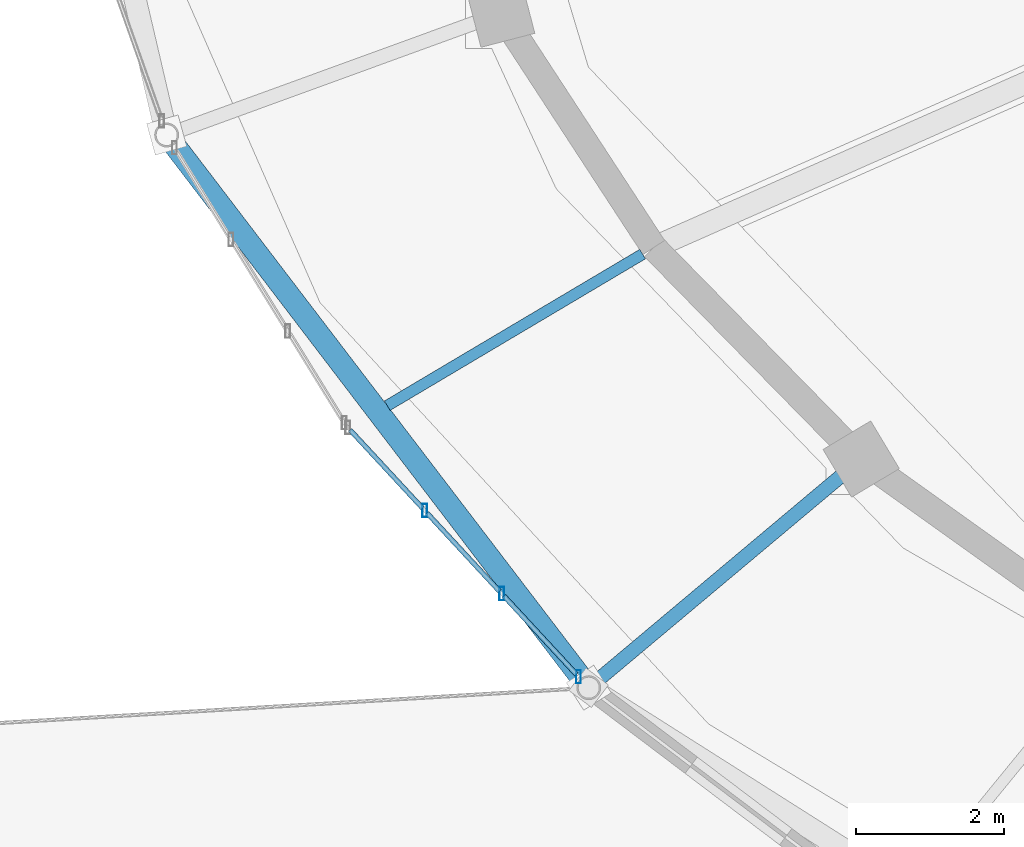
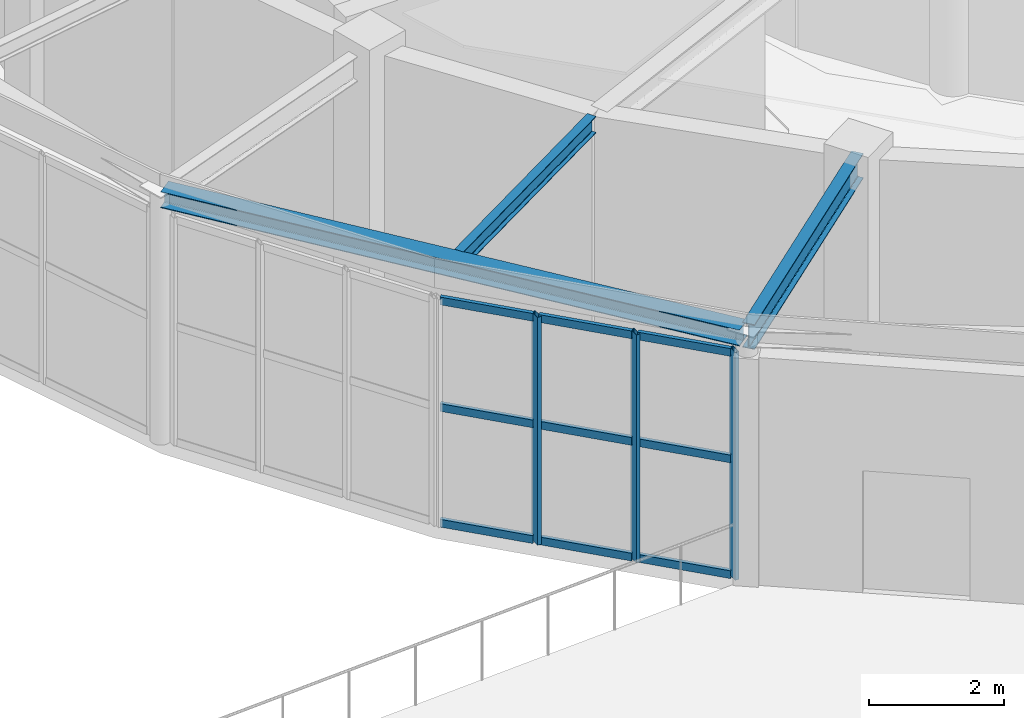
# One storey, part 30 of 108: 12 members, 3 beams, 1 element without a shape of its own.
"""IFC4 building model written with IfcOpenShell, lengths in metres."""

import ifcopenshell
import ifcopenshell.guid

model = None  # the IFC model being written
_history = None  # IfcOwnerHistory: only IFC2X3 demands one
_inside = {}  # id of a spatial element -> (the spatial element, [elements in it])
_under = {}  # id of a project, library or spatial element -> (it, [spatial elements below it])
_declared = {}  # id of a project -> (the project, [libraries it declares])
_typed = {}  # id of a type object -> (the type object, [elements of that type])
_made_of = {}  # id of a material, layer set ... -> (it, [elements and type objects made of it])


def new_model(schema):
    """Start an empty IFC model of exactly this schema.

    Asked for "IFC4X3", IfcOpenShell would pick the latest addendum, in which some entities
    have other attributes; the version numbers below select the first issue.
    IFC2X3 requires an IfcOwnerHistory on every rooted entity: one is made here for all.
    """
    global model, _history
    if schema == "IFC4X3":
        model = ifcopenshell.file(schema_version=(4, 3, 0, 0))
    else:
        model = ifcopenshell.file(schema=schema)
    _inside.clear()
    _under.clear()
    _declared.clear()
    _typed.clear()
    _made_of.clear()
    _history = None
    if model.schema == "IFC2X3":
        org = make("IfcOrganization", Name="unknown")
        user = make(
            "IfcPersonAndOrganization",
            ThePerson=make("IfcPerson", FamilyName="unknown"),
            TheOrganization=org,
        )
        app = make(
            "IfcApplication",
            ApplicationDeveloper=org,
            Version="unknown",
            ApplicationFullName="unknown",
            ApplicationIdentifier="unknown",
        )
        _history = make(
            "IfcOwnerHistory",
            OwningUser=user,
            OwningApplication=app,
            ChangeAction="ADDED",
            CreationDate=0,
        )
    return model


def make(cls, **values):
    """One entity of the class cls with the attributes given. An attribute that is None is left unset."""
    return model.create_entity(
        cls, **{name: value for name, value in values.items() if value is not None}
    )


def rooted(cls, **values):
    """An entity with a GlobalId (a new one), such as an element, a storey or a relation."""
    return make(cls, GlobalId=ifcopenshell.guid.new(), OwnerHistory=_history, **values)


def si_unit(unit_type, name, prefix=None):
    """IfcSIUnit, for example si_unit("LENGTHUNIT", "METRE", prefix="MILLI")."""
    return make("IfcSIUnit", UnitType=unit_type, Prefix=prefix, Name=name)


def assignment(units):
    """IfcUnitAssignment: the units of a project."""
    return None if units is None else make("IfcUnitAssignment", Units=units)


def point(xyz):
    """IfcCartesianPoint."""
    return None if xyz is None else make("IfcCartesianPoint", Coordinates=xyz)


def direction(xyz):
    """IfcDirection."""
    return None if xyz is None else make("IfcDirection", DirectionRatios=xyz)


def frame(location, z_axis=None, x_axis=None):
    """IfcAxis2Placement3D, a coordinate frame: its origin and axes. An axis left out is left unset."""
    return make(
        "IfcAxis2Placement3D",
        Location=point(location),
        Axis=direction(z_axis),
        RefDirection=direction(x_axis),
    )


def frame_2d(location, x_axis=None):
    """IfcAxis2Placement2D, a coordinate frame in the plane: its origin and x axis."""
    return make(
        "IfcAxis2Placement2D", Location=point(location), RefDirection=direction(x_axis)
    )


def origin():
    """The frame at (0, 0, 0) with its axes left unset."""
    return frame((0.0, 0.0, 0.0))


def origin_2d():
    """The frame at (0, 0) in the plane with its x axis left unset."""
    return frame_2d((0.0, 0.0))


def place(relative_to, where):
    """IfcLocalPlacement: puts the frame where relative to a parent placement (None: the world)."""
    return make(
        "IfcLocalPlacement", PlacementRelTo=relative_to, RelativePlacement=where
    )


def context(
    kind, dimensions, precision=None, world=None, true_north=None, identifier=None
):
    """IfcGeometricRepresentationContext, for example the 3D "Model" context."""
    return make(
        "IfcGeometricRepresentationContext",
        ContextIdentifier=identifier,
        ContextType=kind,
        CoordinateSpaceDimension=dimensions,
        Precision=precision,
        WorldCoordinateSystem=world,
        TrueNorth=true_north,
    )


def subcontext(parent, identifier, kind, view, scale=None):
    """IfcGeometricRepresentationSubContext, for example "Body" below "Model"."""
    return make(
        "IfcGeometricRepresentationSubContext",
        ContextIdentifier=identifier,
        ContextType=kind,
        ParentContext=parent,
        TargetScale=scale,
        TargetView=view,
    )


def project(units=None, contexts=None):
    """IfcProject with its units and contexts."""
    return rooted(
        "IfcProject",
        Name="project",
        RepresentationContexts=contexts,
        UnitsInContext=assignment(units),
    )


def spatial(cls, under=None, at=None, **own):
    """A site, building, storey or space (cls), placed at a placement, below another one or the project."""
    s = rooted(cls, ObjectPlacement=at, **own)
    if under is not None:
        _under.setdefault(under.id(), (under, []))[1].append(s)
    return s


def profile(cls, at=None, kind="AREA", **sizes):
    """A parametric profile (cls). Its sizes go by their IFC names, for example OverallWidth=200.0."""
    return make(cls, ProfileType=kind, Position=at, **sizes)


def hollow_rectangle(**sizes):
    """IfcRectangleHollowProfileDef."""
    return profile("IfcRectangleHollowProfileDef", **sizes)


def i_section(**sizes):
    """IfcIShapeProfileDef."""
    return profile("IfcIShapeProfileDef", **sizes)


def extrude(swept, where, along, depth):
    """IfcExtrudedAreaSolid: the profile swept, set in the frame where, extruded along a direction by depth."""
    return make(
        "IfcExtrudedAreaSolid",
        SweptArea=swept,
        Position=where,
        ExtrudedDirection=direction(along),
        Depth=depth,
    )


def shape(context_of_items, identifier, shape_type, items):
    """IfcShapeRepresentation: the items that make up one representation, for example the "Body"."""
    return make(
        "IfcShapeRepresentation",
        ContextOfItems=context_of_items,
        RepresentationIdentifier=identifier,
        RepresentationType=shape_type,
        Items=items,
    )


def material(Name=None, Category=None):
    """IfcMaterial."""
    return make("IfcMaterial", Name=Name, Category=Category)


def material_profile(
    of_material, cross_section, Name=None, Category=None, Priority=None
):
    """IfcMaterialProfile: a cross section and its material."""
    return make(
        "IfcMaterialProfile",
        Name=Name,
        Material=of_material,
        Profile=cross_section,
        Priority=Priority,
        Category=Category,
    )


def profile_set(profiles, Name=None, composite=None):
    """IfcMaterialProfileSet."""
    return make(
        "IfcMaterialProfileSet",
        Name=Name,
        MaterialProfiles=profiles,
        CompositeProfile=composite,
    )


def made_of(thing, what):
    """Note that an element or type object is made of a material, layer set ...; save() writes the relation."""
    if what is not None:
        _made_of.setdefault(what.id(), (what, []))[1].append(thing)
    return thing


def type_object(cls, material=None, **own):
    """A type object (cls), such as IfcWallType, which elements share."""
    return made_of(rooted(cls, **own), material)


def element(
    cls,
    number,
    at=None,
    inside=None,
    cuts=None,
    type_object=None,
    material=None,
    context=None,
    identifier="Body",
    shape_type=None,
    held_by="IfcProductDefinitionShape",
    body=None,
    shapes=None,
    **own,
):
    """One element of the class cls, such as IfcWall. Its Tag is "e" and its number.

    at: its placement. inside: the storey or other place that contains it. cuts: it is an
    opening in that element (IfcRelVoidsElement). A single representation is given by context,
    identifier, shape_type and body (its items); several are given by shapes. held_by: the class
    of the entity that holds the representations. save() writes the other relations.
    """
    e = rooted(cls, Tag="e%d" % number, ObjectPlacement=at, **own)
    if body is not None:
        shapes = [shape(context, identifier, shape_type, body)]
    if shapes is not None:
        e.Representation = make(held_by, Representations=shapes)
    if inside is not None:
        _inside.setdefault(inside.id(), (inside, []))[1].append(e)
    if cuts is not None:
        rooted(
            "IfcRelVoidsElement", RelatingBuildingElement=cuts, RelatedOpeningElement=e
        )
    if type_object is not None:
        _typed.setdefault(type_object.id(), (type_object, []))[1].append(e)
    return made_of(e, material)


def aggregate(whole, parts):
    """IfcRelAggregates: a whole, such as a stair, and the parts it consists of."""
    return rooted("IfcRelAggregates", RelatingObject=whole, RelatedObjects=parts)


def save(model, path):
    """Write the relations noted so far, then the file.

    IfcRelAggregates (storeys below a building ...), IfcRelContainedInSpatialStructure (elements
    in a storey), IfcRelDefinesByType, IfcRelAssociatesMaterial and IfcRelDeclares: one each for
    every whole, place, type object, material and project.
    """
    for whole, parts in _under.values():
        aggregate(whole, parts)
    for where, things in _inside.values():
        rooted(
            "IfcRelContainedInSpatialStructure",
            RelatedElements=things,
            RelatingStructure=where,
        )
    for kind, things in _typed.values():
        rooted("IfcRelDefinesByType", RelatedObjects=things, RelatingType=kind)
    for what, things in _made_of.values():
        rooted("IfcRelAssociatesMaterial", RelatedObjects=things, RelatingMaterial=what)
    for by, libraries in _declared.values():
        rooted("IfcRelDeclares", RelatingContext=by, RelatedDefinitions=libraries)
    model.write(path)


model = new_model("IFC4")

# Units and contexts
model_context = context("Model", 3, precision=1e-05, world=origin(), true_north=direction((0.0, 1.0)))
body_context = subcontext(model_context, "Body", "Model", "MODEL_VIEW")
ifc_project = project(units=[si_unit("LENGTHUNIT", "METRE"), si_unit("AREAUNIT", "SQUARE_METRE"), si_unit("VOLUMEUNIT", "CUBIC_METRE"), si_unit("PLANEANGLEUNIT", "RADIAN"), si_unit("MASSUNIT", "GRAM", prefix="KILO")], contexts=[model_context])

# Site, building, storey
site_placement = place(None, origin())
site = spatial("IfcSite", under=ifc_project, at=site_placement, CompositionType="ELEMENT")
building_placement = place(site_placement, origin())
building = spatial("IfcBuilding", under=site, at=building_placement, Name="Tarnveldt Headland Concert Hall", CompositionType="ELEMENT")
storey_placement = place(building_placement, frame((0.0, 0.0, 9.60009765625)))
storey = spatial("IfcBuildingStorey", under=building, at=storey_placement, Name="L02", CompositionType="ELEMENT", Elevation=9.60009765625)

# Curtain wall, members
ifc_material_1 = material(Name="Marine-anodised aluminium EN AW-6063-T6", Category="aluminium")
curtain_wall_type = type_object("IfcCurtainWallType", Name="CW-F3", PredefinedType="NOTDEFINED", material=ifc_material_1)
curtain_wall_placement = place(storey_placement, origin())
curtain_wall = element("IfcCurtainWall", 1, at=curtain_wall_placement, inside=storey, type_object=curtain_wall_type, Name="Curtain wall CW-L02-081", PredefinedType="NOTDEFINED")
ifc_material_profile_1 = material_profile(ifc_material_1, hollow_rectangle(XDim=0.06494140625, YDim=0.179931640625, WallThickness=0.00390625, at=origin_2d()), Name="ALU MULLION 65x180x4", Category="aluminium")
ifc_profile_set_1 = profile_set([ifc_material_profile_1], Name="Marine-anodised aluminium EN AW-6063-T6")
member_type_1 = type_object("IfcMemberType", Name="ML-180", PredefinedType="MULLION", material=ifc_profile_set_1)
member_1_placement = place(storey_placement, frame((56.159912109375, 40.949462890625, 0.0), z_axis=(0.0, 0.0, 1.0), x_axis=(1.0, 0.0, 0.0)))
member_1 = element("IfcMember", 2, at=member_1_placement, type_object=member_type_1, Name="Mullion CW-L02-081-2", PredefinedType="MULLION", context=body_context, shape_type="SweptSolid", body=[
    extrude(hollow_rectangle(XDim=0.06494140625, YDim=0.179931640625, WallThickness=0.00390625, at=origin_2d()), origin(), (0.0, 0.0, 1.0), 4.10791015625),
])
member_2_placement = place(storey_placement, frame((57.1982421875, 39.828369140625, 0.0), z_axis=(0.0, 0.0, 1.0), x_axis=(1.0, 0.0, 0.0)))
member_2 = element("IfcMember", 3, at=member_2_placement, type_object=member_type_1, Name="Mullion CW-L02-081-3", PredefinedType="MULLION", context=body_context, shape_type="SweptSolid", body=[
    extrude(hollow_rectangle(XDim=0.06494140625, YDim=0.179931640625, WallThickness=0.00390625, at=origin_2d()), origin(), (0.0, 0.0, 1.0), 4.10791015625),
])
member_3_placement = place(storey_placement, frame((58.236572265625, 38.70703125, 0.0), z_axis=(0.0, 0.0, 1.0), x_axis=(1.0, 0.0, 0.0)))
member_3 = element("IfcMember", 4, at=member_3_placement, type_object=member_type_1, Name="Mullion CW-L02-081-4", PredefinedType="MULLION", context=body_context, shape_type="SweptSolid", body=[
    extrude(hollow_rectangle(XDim=0.06494140625, YDim=0.179931640625, WallThickness=0.00390625, at=origin_2d()), origin(), (0.0, 0.0, 1.0), 4.10791015625),
])

# Beams
ifc_material_2 = material(Name="Steel S355", Category="steel")
ifc_material_profile_2 = material_profile(ifc_material_2, i_section(OverallWidth=0.300048828125, OverallDepth=0.2900390625, WebThickness=0.008544921875, FlangeThickness=0.013916015625, FilletRadius=0.027099609375, at=origin_2d()), Name="HEA300", Category="steel")
ifc_profile_set_2 = profile_set([ifc_material_profile_2], Name="Steel S355")
beam_type_1 = type_object("IfcBeamType", Name="SB-HEA300", PredefinedType="SPANDREL", material=ifc_profile_set_2)
beam_1_placement = place(storey_placement, frame((52.714599609375, 45.97021484375, 4.4248046875), z_axis=(0.606896353007, -0.794780986629, 0.0), x_axis=(0.794780986629, 0.606896353007, 0.0)))
element("IfcBeam", 5, at=beam_1_placement, inside=storey, type_object=beam_type_1, Name="Framing beam L02-1025", PredefinedType="SPANDREL", context=body_context, shape_type="SweptSolid", body=[
    extrude(i_section(OverallWidth=0.300048828125, OverallDepth=0.2900390625, WebThickness=0.008544921875, FlangeThickness=0.013916015625, FilletRadius=0.027099609375, at=origin_2d()), origin(), (0.0, 0.0, 1.0), 9.264892578125),
])
ifc_material_profile_3 = material_profile(ifc_material_2, i_section(OverallWidth=0.14990234375, OverallDepth=0.300048828125, WebThickness=0.007080078125, FlangeThickness=0.0107421875, FilletRadius=0.014892578125, at=origin_2d()), Name="IPE300", Category="steel")
ifc_profile_set_3 = profile_set([ifc_material_profile_3], Name="Steel S355")
beam_type_2 = type_object("IfcBeamType", Name="SB-IPE300", PredefinedType="JOIST", material=ifc_profile_set_3)
beam_2_placement = place(storey_placement, frame((59.100830078125, 44.41064453125, 4.419921875), z_axis=(-0.859902377377, -0.510458520726, 0.0), x_axis=(0.510458520726, -0.859902377377, 0.0)))
element("IfcBeam", 6, at=beam_2_placement, inside=storey, type_object=beam_type_2, Name="Framing beam L02-1027", PredefinedType="JOIST", context=body_context, shape_type="SweptSolid", body=[
    extrude(i_section(OverallWidth=0.14990234375, OverallDepth=0.300048828125, WebThickness=0.007080078125, FlangeThickness=0.0107421875, FilletRadius=0.014892578125, at=origin_2d()), origin(), (0.0, 0.0, 1.0), 4.007568359375),
])
ifc_material_profile_4 = material_profile(ifc_material_2, i_section(OverallWidth=0.18994140625, OverallDepth=0.449951171875, WebThickness=0.009521484375, FlangeThickness=0.0146484375, FilletRadius=0.02099609375, at=origin_2d()), Name="IPE450", Category="steel")
ifc_profile_set_4 = profile_set([ifc_material_profile_4], Name="Steel S355")
beam_type_3 = type_object("IfcBeamType", Name="SB-IPE450", PredefinedType="BEAM", material=ifc_profile_set_4)
beam_3_placement = place(storey_placement, frame((62.020263671875, 41.618408203125, 4.344970703125), z_axis=(-0.76607107782, -0.642755866351, 0.0), x_axis=(0.642755866351, -0.76607107782, 0.0)))
element("IfcBeam", 7, at=beam_3_placement, inside=storey, type_object=beam_type_3, Name="Framing beam L02-1029", PredefinedType="BEAM", context=body_context, shape_type="SweptSolid", body=[
    extrude(i_section(OverallWidth=0.18994140625, OverallDepth=0.449951171875, WebThickness=0.009521484375, FlangeThickness=0.0146484375, FilletRadius=0.02099609375, at=origin_2d()), origin(), (0.0, 0.0, 1.0), 4.699951171875),
])

# Member
ifc_material_profile_5 = material_profile(ifc_material_1, hollow_rectangle(XDim=0.06494140625, YDim=0.139892578125, WallThickness=0.00390625, at=origin_2d()), Name="ALU TRANSOM 65x140x4", Category="aluminium")
ifc_profile_set_5 = profile_set([ifc_material_profile_5], Name="Marine-anodised aluminium EN AW-6063-T6")
member_type_2 = type_object("IfcMemberType", Name="TR-140", PredefinedType="MEMBER", material=ifc_profile_set_5)
member_4_placement = place(storey_placement, frame((55.15185546875, 42.0380859375, 0.0498046875), z_axis=(0.679441860222, -0.733729349678, 0.0), x_axis=(0.733729349678, 0.679441860222, 0.0)))
member_4 = element("IfcMember", 8, at=member_4_placement, type_object=member_type_2, Name="Transom CW-L02-081-1-1", PredefinedType="MEMBER", context=body_context, shape_type="SweptSolid", body=[
    extrude(hollow_rectangle(XDim=0.06494140625, YDim=0.139892578125, WallThickness=0.00390625, at=origin_2d()), origin(), (0.0, 0.0, 1.0), 1.439208984375),
])

member_5_placement = place(storey_placement, frame((55.15185546875, 42.0380859375, 2.135986328125), z_axis=(0.679441860222, -0.733729349678, 0.0), x_axis=(0.733729349678, 0.679441860222, 0.0)))
member_5 = element("IfcMember", 9, at=member_5_placement, type_object=member_type_2, Name="Transom CW-L02-081-1-2", PredefinedType="MEMBER", context=body_context, shape_type="SweptSolid", body=[
    extrude(hollow_rectangle(XDim=0.06494140625, YDim=0.139892578125, WallThickness=0.00390625, at=origin_2d()), origin(), (0.0, 0.0, 1.0), 1.439208984375),
])

member_6_placement = place(storey_placement, frame((55.15185546875, 42.0380859375, 4.057861328125), z_axis=(0.679441860222, -0.733729349678, 0.0), x_axis=(0.733729349678, 0.679441860222, 0.0)))
member_6 = element("IfcMember", 10, at=member_6_placement, type_object=member_type_2, Name="Transom CW-L02-081-1-3", PredefinedType="MEMBER", context=body_context, shape_type="SweptSolid", body=[
    extrude(hollow_rectangle(XDim=0.06494140625, YDim=0.139892578125, WallThickness=0.00390625, at=origin_2d()), origin(), (0.0, 0.0, 1.0), 1.439208984375),
])

member_7_placement = place(storey_placement, frame((56.190185546875, 40.916748046875, 0.0498046875), z_axis=(0.679526440449, -0.733651018353, 0.0), x_axis=(0.733651018353, 0.679526440449, 0.0)))
member_7 = element("IfcMember", 11, at=member_7_placement, type_object=member_type_2, Name="Transom CW-L02-081-2-1", PredefinedType="MEMBER", context=body_context, shape_type="SweptSolid", body=[
    extrude(hollow_rectangle(XDim=0.06494140625, YDim=0.139892578125, WallThickness=0.00390625, at=origin_2d()), origin(), (0.0, 0.0, 1.0), 1.43896484375),
])

member_8_placement = place(storey_placement, frame((56.190185546875, 40.916748046875, 2.135986328125), z_axis=(0.679526440449, -0.733651018353, 0.0), x_axis=(0.733651018353, 0.679526440449, 0.0)))
member_8 = element("IfcMember", 12, at=member_8_placement, type_object=member_type_2, Name="Transom CW-L02-081-2-2", PredefinedType="MEMBER", context=body_context, shape_type="SweptSolid", body=[
    extrude(hollow_rectangle(XDim=0.06494140625, YDim=0.139892578125, WallThickness=0.00390625, at=origin_2d()), origin(), (0.0, 0.0, 1.0), 1.43896484375),
])

member_9_placement = place(storey_placement, frame((56.190185546875, 40.916748046875, 4.057861328125), z_axis=(0.679526440449, -0.733651018353, 0.0), x_axis=(0.733651018353, 0.679526440449, 0.0)))
member_9 = element("IfcMember", 13, at=member_9_placement, type_object=member_type_2, Name="Transom CW-L02-081-2-3", PredefinedType="MEMBER", context=body_context, shape_type="SweptSolid", body=[
    extrude(hollow_rectangle(XDim=0.06494140625, YDim=0.139892578125, WallThickness=0.00390625, at=origin_2d()), origin(), (0.0, 0.0, 1.0), 1.43896484375),
])

member_10_placement = place(storey_placement, frame((57.228515625, 39.795654296875, 0.0498046875), z_axis=(0.679441860222, -0.733729349678, 0.0), x_axis=(0.733729349678, 0.679441860222, 0.0)))
member_10 = element("IfcMember", 14, at=member_10_placement, type_object=member_type_2, Name="Transom CW-L02-081-3-1", PredefinedType="MEMBER", context=body_context, shape_type="SweptSolid", body=[
    extrude(hollow_rectangle(XDim=0.06494140625, YDim=0.139892578125, WallThickness=0.00390625, at=origin_2d()), origin(), (0.0, 0.0, 1.0), 1.439208984375),
])

member_11_placement = place(storey_placement, frame((57.228515625, 39.795654296875, 2.135986328125), z_axis=(0.679441860222, -0.733729349678, 0.0), x_axis=(0.733729349678, 0.679441860222, 0.0)))
member_11 = element("IfcMember", 15, at=member_11_placement, type_object=member_type_2, Name="Transom CW-L02-081-3-2", PredefinedType="MEMBER", context=body_context, shape_type="SweptSolid", body=[
    extrude(hollow_rectangle(XDim=0.06494140625, YDim=0.139892578125, WallThickness=0.00390625, at=origin_2d()), origin(), (0.0, 0.0, 1.0), 1.439208984375),
])

member_12_placement = place(storey_placement, frame((57.228515625, 39.795654296875, 4.057861328125), z_axis=(0.679441860222, -0.733729349678, 0.0), x_axis=(0.733729349678, 0.679441860222, 0.0)))
member_12 = element("IfcMember", 16, at=member_12_placement, type_object=member_type_2, Name="Transom CW-L02-081-3-3", PredefinedType="MEMBER", context=body_context, shape_type="SweptSolid", body=[
    extrude(hollow_rectangle(XDim=0.06494140625, YDim=0.139892578125, WallThickness=0.00390625, at=origin_2d()), origin(), (0.0, 0.0, 1.0), 1.439208984375),
])

aggregate(curtain_wall, [member_1, member_2, member_3, member_4, member_5, member_6, member_7, member_8, member_9, member_10, member_11, member_12])

save(model, "model.ifc")
